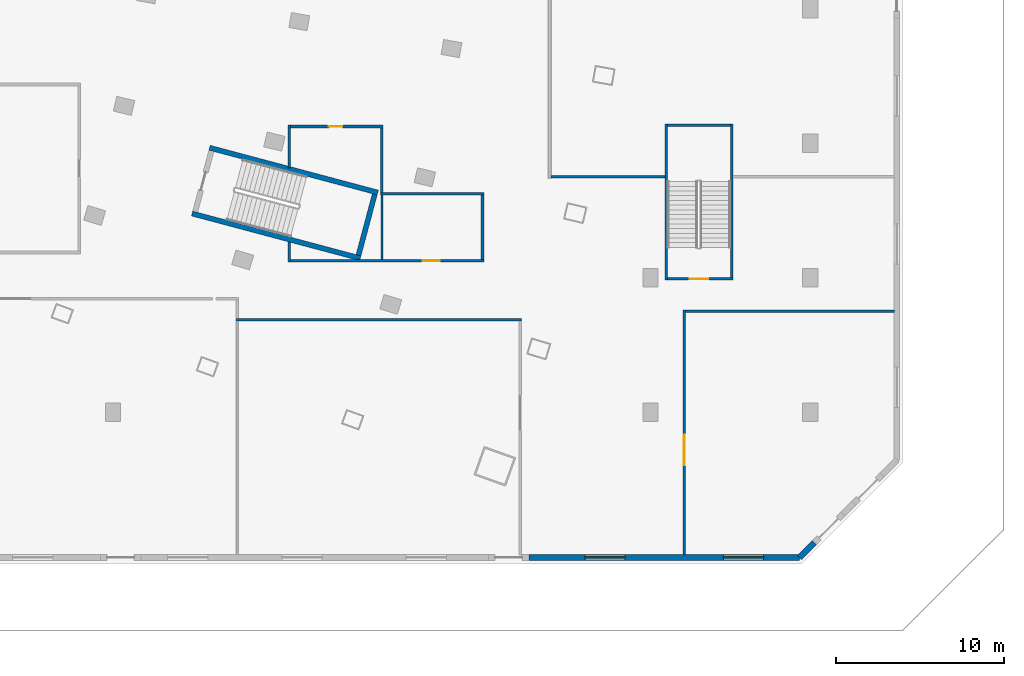
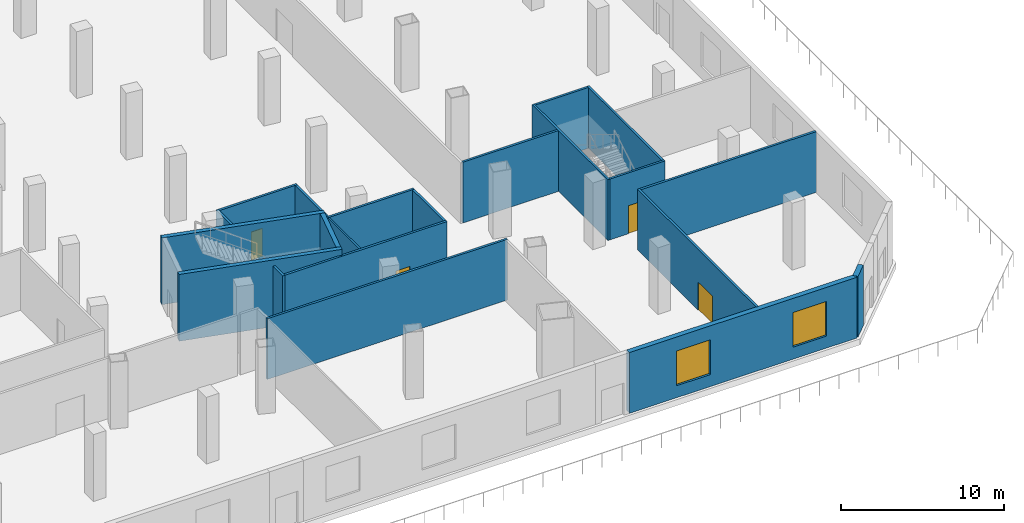
# One storey, part 3 of 15: 21 walls, 4 doors, 2 windows, 6 openings.
"""IFC4 building model written with IfcOpenShell, lengths in metres."""

from ifc_helpers import new_model, si_unit, direction, frame, frame_2d, origin, place, context, subcontext, project, spatial, rectangle, extrude, material, layer, layer_set, type_object, element, fill, save


model = new_model("IFC4")

# Units and contexts
model_context = context("Model", 3, precision=1e-05, world=origin(), true_north=direction((0.0, 1.0)))
body_context = subcontext(model_context, "Body", "Model", "MODEL_VIEW")
ifc_project = project(units=[si_unit("LENGTHUNIT", "METRE"), si_unit("AREAUNIT", "SQUARE_METRE"), si_unit("VOLUMEUNIT", "CUBIC_METRE"), si_unit("PLANEANGLEUNIT", "RADIAN"), si_unit("MASSUNIT", "GRAM", prefix="KILO")], contexts=[model_context])

# Site, building, storey
site_placement = place(None, origin())
site = spatial("IfcSite", under=ifc_project, at=site_placement, CompositionType="ELEMENT")
building_placement = place(site_placement, origin())
building = spatial("IfcBuilding", under=site, at=building_placement, Name="Alderwake Tower", CompositionType="ELEMENT")
storey_placement = place(building_placement, frame((0.0, 0.0, 13.5)))
storey = spatial("IfcBuildingStorey", under=building, at=storey_placement, Name="L02", CompositionType="ELEMENT", Elevation=13.5)

# Walls
ifc_material_1 = material(Name="Concrete C70/85", Category="concrete")
ifc_layer_1 = layer(ifc_material_1, 0.300048828125)
ifc_layer_set_1 = layer_set([ifc_layer_1], Name="Core wall stair enclosure 300 C70-85")
wall_type_1 = type_object("IfcWallType", Name="Core wall stair enclosure 300 C70-85", PredefinedType="SHEAR", material=ifc_layer_set_1)
for number, where, z_axis, x_axis, name in (
    (1, (37.75390625, 31.731201171875, 0.0), (0.0, 0.0, 1.0), (0.966309214305, -0.257383958996, 0.0), "Core wall CW.086"),
    (2, (36.71142578125, 27.817626953125, 0.0), (0.0, 0.0, 1.0), (0.966309214305, -0.257383958996, 0.0), "Core wall CW.088"),
):
    element("IfcWall", number, at=place(storey_placement, frame(where, z_axis=z_axis, x_axis=x_axis)), inside=storey, type_object=wall_type_1, Name=name, PredefinedType="SHEAR", context=body_context, shape_type="SweptSolid", body=[
        extrude(rectangle(XDim=10.360107421875, YDim=0.300048828125, at=frame_2d((5.18017578125, 0.0))), origin(), (0.0, 0.0, 1.0), 5.0),
    ])
wall_1_placement = place(storey_placement, frame((46.6162109375, 25.334716796875, 0.0), z_axis=(0.0, 0.0, 1.0), x_axis=(0.257366821694, 0.966313778796, 0.0)))
element("IfcWall", 3, at=wall_1_placement, inside=storey, type_object=wall_type_1, Name="Core wall CW.085", PredefinedType="SHEAR", context=body_context, shape_type="SweptSolid", body=[
    extrude(rectangle(XDim=3.749755859375, YDim=0.300048828125, at=frame_2d((1.875, 0.0))), origin(), (0.0, 0.0, 1.0), 5.0),
])
ifc_material_2 = material(Name="Gypsum board on metal studs, rated")
ifc_layer_2 = layer(ifc_material_2, 0.159912109375)
ifc_layer_set_2 = layer_set([ifc_layer_2], Name="Corridor wall 160")
wall_type_2 = type_object("IfcWallType", Name="Corridor wall 160", PredefinedType="PARTITIONING", material=ifc_layer_set_2)
wall_2_placement = place(storey_placement, frame((39.319091796875, 21.5009765625, 0.0), z_axis=(0.0, 0.0, 1.0), x_axis=(1.0, 0.0, 0.0)))
element("IfcWall", 4, at=wall_2_placement, inside=storey, type_object=wall_type_2, Name="WL/L02/W38", PredefinedType="PARTITIONING", context=body_context, shape_type="SweptSolid", body=[
    extrude(rectangle(XDim=17.010986328125, YDim=0.159912109375, at=frame_2d((8.50537109375, 0.0))), origin(), (0.0, 0.0, 1.0), 4.550048828125),
])
wall_3_placement = place(storey_placement, frame((42.5009765625, 24.9189453125, 0.0), z_axis=(0.0, 0.0, 1.0), x_axis=(0.0, 1.0, 0.0)))
element("IfcWall", 5, at=wall_3_placement, inside=storey, type_object=wall_type_2, Name="WL/L02/W40", PredefinedType="PARTITIONING", context=body_context, shape_type="SweptSolid", body=[
    extrude(rectangle(XDim=1.2021484375, YDim=0.159912109375, at=frame_2d((0.60107421875, 0.0))), origin(), (0.0, 0.0, 1.0), 4.550048828125),
])
wall_4_placement = place(storey_placement, frame((42.5009765625, 30.541015625, 0.0), z_axis=(0.0, 0.0, 1.0), x_axis=(0.0, 1.0, 0.0)))
element("IfcWall", 6, at=wall_4_placement, inside=storey, type_object=wall_type_2, Name="WL/L02/W41", PredefinedType="PARTITIONING", context=body_context, shape_type="SweptSolid", body=[
    extrude(rectangle(XDim=2.5390625, YDim=0.159912109375, at=frame_2d((1.26953125, 0.0))), origin(), (0.0, 0.0, 1.0), 4.550048828125),
])

# Wall, opening, door
wall_5_placement = place(storey_placement, frame((42.5810546875, 33.0, 0.0), z_axis=(0.0, 0.0, 1.0), x_axis=(1.0, 0.0, 0.0)))
wall_5 = element("IfcWall", 7, at=wall_5_placement, inside=storey, type_object=wall_type_2, Name="WL/L02/W42", PredefinedType="PARTITIONING", context=body_context, shape_type="SweptSolid", body=[
    extrude(rectangle(XDim=5.4990234375, YDim=0.159912109375, at=frame_2d((2.74951171875, 0.0))), origin(), (0.0, 0.0, 1.0), 4.550048828125),
])
opening_1_placement = place(wall_5_placement, frame((2.26904296875, 0.0, 0.0)))
opening_1 = element("IfcOpeningElement", 8, at=opening_1_placement, cuts=wall_5, Name="Opening L02-13", PredefinedType="OPENING", context=body_context, shape_type="SweptSolid", body=[
    extrude(rectangle(XDim=0.800048828125, YDim=2.10009765625, at=frame_2d((0.39990234375, 1.050048828125))), frame((0.0, 0.08984375, 0.0), z_axis=(0.0, -1.0, 0.0), x_axis=(1.0, 0.0, 0.0)), (0.0, 0.0, 1.0), 0.179931640625),
])
ifc_material_3 = material(Name="Painted timber leaf", Category="wood")
door_type_1 = type_object("IfcDoorType", Name="Bathroom door 800", OperationType="SINGLE_SWING_LEFT", PredefinedType="DOOR", material=ifc_material_3)
door_1_placement = place(opening_1_placement, origin())
door_1 = element("IfcDoor", 9, at=door_1_placement, inside=storey, type_object=door_type_1, Name="DR/L02/13", OperationType="SINGLE_SWING_LEFT", OverallHeight=2.10009765625, OverallWidth=0.800048828125, PredefinedType="DOOR", context=body_context, shape_type="SweptSolid", body=[
    extrude(rectangle(XDim=0.800048828125, YDim=2.10009765625, at=frame_2d((0.39990234375, 1.050048828125))), frame((0.0, 0.02490234375, 0.0), z_axis=(0.0, -1.0, 0.0), x_axis=(1.0, 0.0, 0.0)), (0.0, 0.0, 1.0), 0.050048828125),
])
fill(opening_1, door_1)

# Walls
wall_6_placement = place(storey_placement, frame((47.919921875, 29.0009765625, 0.0), z_axis=(0.0, 0.0, 1.0), x_axis=(1.0, 0.0, 0.0)))
element("IfcWall", 10, at=wall_6_placement, inside=storey, type_object=wall_type_2, Name="WL/L02/W44", PredefinedType="PARTITIONING", context=body_context, shape_type="SweptSolid", body=[
    extrude(rectangle(XDim=6.16015625, YDim=0.159912109375, at=frame_2d((3.080078125, 0.0))), origin(), (0.0, 0.0, 1.0), 4.550048828125),
])
wall_7_placement = place(storey_placement, frame((48.0, 32.919921875, 0.0), z_axis=(0.0, 0.0, 1.0), x_axis=(0.0, -1.0, 0.0)))
element("IfcWall", 11, at=wall_7_placement, inside=storey, type_object=wall_type_2, Name="WL/L02/W45", PredefinedType="PARTITIONING", context=body_context, shape_type="SweptSolid", body=[
    extrude(rectangle(XDim=3.8388671875, YDim=0.159912109375, at=frame_2d((1.91943359375, 0.0))), origin(), (0.0, 0.0, 1.0), 4.550048828125),
])

# Wall, opening, door
wall_8_placement = place(storey_placement, frame((54.080078125, 24.9990234375, 0.0), z_axis=(0.0, 0.0, 1.0), x_axis=(-1.0, 0.0, 0.0)))
wall_8 = element("IfcWall", 12, at=wall_8_placement, inside=storey, type_object=wall_type_2, Name="WL/L02/W46", PredefinedType="PARTITIONING", context=body_context, shape_type="SweptSolid", body=[
    extrude(rectangle(XDim=11.4990234375, YDim=0.159912109375, at=frame_2d((5.74951171875, 0.0))), origin(), (0.0, 0.0, 1.0), 4.550048828125),
])
opening_2_placement = place(wall_8_placement, frame((2.6298828125, 0.0, 0.0)))
opening_2 = element("IfcOpeningElement", 13, at=opening_2_placement, cuts=wall_8, Name="Opening L02-14", PredefinedType="OPENING", context=body_context, shape_type="SweptSolid", body=[
    extrude(rectangle(XDim=1.0, YDim=2.10009765625, at=frame_2d((0.5, 1.050048828125))), frame((0.0, 0.08984375, 0.0), z_axis=(0.0, -1.0, 0.0), x_axis=(1.0, 0.0, 0.0)), (0.0, 0.0, 1.0), 0.179931640625),
])
ifc_material_4 = material(Name="Painted timber leaf", Category="wood")
door_type_2 = type_object("IfcDoorType", Name="Accessible WC door 1000", OperationType="SINGLE_SWING_LEFT", PredefinedType="DOOR", material=ifc_material_4)
door_2_placement = place(opening_2_placement, origin())
door_2 = element("IfcDoor", 14, at=door_2_placement, inside=storey, type_object=door_type_2, Name="DR/L02/14", OperationType="SINGLE_SWING_LEFT", OverallHeight=2.10009765625, OverallWidth=1.0, PredefinedType="DOOR", context=body_context, shape_type="SweptSolid", body=[
    extrude(rectangle(XDim=1.0, YDim=2.10009765625, at=frame_2d((0.5, 1.050048828125))), frame((0.0, 0.02490234375, 0.0), z_axis=(0.0, -1.0, 0.0), x_axis=(1.0, 0.0, 0.0)), (0.0, 0.0, 1.0), 0.050048828125),
])
fill(opening_2, door_2)

# Walls
wall_9_placement = place(storey_placement, frame((54.0, 28.9208984375, 0.0), z_axis=(0.0, 0.0, 1.0), x_axis=(0.0, -1.0, 0.0)))
element("IfcWall", 15, at=wall_9_placement, inside=storey, type_object=wall_type_2, Name="WL/L02/W47", PredefinedType="PARTITIONING", context=body_context, shape_type="SweptSolid", body=[
    extrude(rectangle(XDim=3.841796875, YDim=0.159912109375, at=frame_2d((1.9208984375, 0.0))), origin(), (0.0, 0.0, 1.0), 4.550048828125),
])
wall_10_placement = place(storey_placement, frame((64.85107421875, 30.0, 0.0), z_axis=(0.0, 0.0, 1.0), x_axis=(-1.0, 0.0, 0.0)))
element("IfcWall", 16, at=wall_10_placement, inside=storey, type_object=wall_type_2, Name="WL/L02/W53", PredefinedType="PARTITIONING", context=body_context, shape_type="SweptSolid", body=[
    extrude(rectangle(XDim=6.77197265625, YDim=0.159912109375, at=frame_2d((3.385986328125, 0.0))), origin(), (0.0, 0.0, 1.0), 4.550048828125),
])

# Wall, opening, door
wall_11_placement = place(storey_placement, frame((66.0, 7.5, 0.0), z_axis=(0.0, 0.0, 1.0), x_axis=(0.0, 1.0, 0.0)))
wall_11 = element("IfcWall", 17, at=wall_11_placement, inside=storey, type_object=wall_type_2, Name="WL/L02/W54", PredefinedType="PARTITIONING", context=body_context, shape_type="SweptSolid", body=[
    extrude(rectangle(XDim=14.5791015625, YDim=0.159912109375, at=frame_2d((7.28955078125, 0.0))), origin(), (0.0, 0.0, 1.0), 4.550048828125),
])
opening_3_placement = place(wall_11_placement, frame((5.35009765625, 0.0, 0.0)))
opening_3 = element("IfcOpeningElement", 18, at=opening_3_placement, cuts=wall_11, Name="Opening L02-06", PredefinedType="OPENING", context=body_context, shape_type="SweptSolid", body=[
    extrude(rectangle(XDim=1.800048828125, YDim=2.10009765625, at=frame_2d((0.89990234375, 1.050048828125))), frame((0.0, 0.08984375, 0.0), z_axis=(0.0, -1.0, 0.0), x_axis=(1.0, 0.0, 0.0)), (0.0, 0.0, 1.0), 0.179931640625),
])
ifc_material_5 = material(Name="Aluminium framed glazed leaves", Category="aluminium")
door_type_3 = type_object("IfcDoorType", Name="Shopfront door 1800 glazed double", OperationType="DOUBLE_DOOR_SINGLE_SWING", PredefinedType="DOOR", material=ifc_material_5)
door_3_placement = place(opening_3_placement, origin())
door_3 = element("IfcDoor", 19, at=door_3_placement, inside=storey, type_object=door_type_3, Name="DR/L02/06", OperationType="DOUBLE_DOOR_SINGLE_SWING", OverallHeight=2.10009765625, OverallWidth=1.800048828125, PredefinedType="DOOR", context=body_context, shape_type="SweptSolid", body=[
    extrude(rectangle(XDim=1.800048828125, YDim=2.10009765625, at=frame_2d((0.89990234375, 1.050048828125))), frame((0.0, 0.02490234375, 0.0), z_axis=(0.0, -1.0, 0.0), x_axis=(1.0, 0.0, 0.0)), (0.0, 0.0, 1.0), 0.050048828125),
])
fill(opening_3, door_3)

# Wall
wall_12_placement = place(storey_placement, frame((66.080078125, 21.9990234375, 0.0), z_axis=(0.0, 0.0, 1.0), x_axis=(1.0, 0.0, 0.0)))
element("IfcWall", 20, at=wall_12_placement, inside=storey, type_object=wall_type_2, Name="WL/L02/W55", PredefinedType="PARTITIONING", context=body_context, shape_type="SweptSolid", body=[
    extrude(rectangle(XDim=12.4208984375, YDim=0.159912109375, at=frame_2d((6.21044921875, 0.0))), origin(), (0.0, 0.0, 1.0), 4.550048828125),
])

# Wall, openings, windows
ifc_material_6 = material(Name="Precast concrete C50/60 spandrel panel", Category="concrete")
ifc_layer_3 = layer(ifc_material_6, 0.35009765625)
ifc_layer_set_3 = layer_set([ifc_layer_3], Name="External wall EW4 Precast concrete C50/60 podium")
wall_type_3 = type_object("IfcWallType", Name="External wall EW4 Precast concrete C50/60 podium", PredefinedType="SOLIDWALL", material=ifc_layer_set_3)
wall_13_placement = place(storey_placement, frame((56.75244140625, 7.35009765625, 0.0), z_axis=(0.0, 0.0, 1.0), x_axis=(1.0, 0.0, 0.0)))
wall_13 = element("IfcWall", 21, at=wall_13_placement, inside=storey, type_object=wall_type_3, Name="External wall 5", PredefinedType="SOLIDWALL", context=body_context, shape_type="SweptSolid", body=[
    extrude(rectangle(XDim=16.11767578125, YDim=0.35009765625, at=frame_2d((8.058837890625, 0.0))), origin(), (0.0, 0.0, 1.0), 4.550048828125),
])
opening_4_placement = place(wall_13_placement, frame((3.333740234375, 0.0, 0.89990234375)))
opening_4 = element("IfcOpeningElement", 22, at=opening_4_placement, cuts=wall_13, Name="Opening W6", PredefinedType="OPENING", context=body_context, shape_type="SweptSolid", body=[
    extrude(rectangle(XDim=2.39990234375, YDim=2.60009765625, at=frame_2d((1.199951171875, 1.300048828125))), frame((0.0, 0.18505859375, 0.0), z_axis=(0.0, -1.0, 0.0), x_axis=(1.0, 0.0, 0.0)), (0.0, 0.0, 1.0), 0.3701171875),
])
opening_5_placement = place(wall_13_placement, frame((11.572509765625, 0.0, 0.89990234375)))
opening_5 = element("IfcOpeningElement", 23, at=opening_5_placement, cuts=wall_13, Name="Opening W6", PredefinedType="OPENING", context=body_context, shape_type="SweptSolid", body=[
    extrude(rectangle(XDim=2.39990234375, YDim=2.60009765625, at=frame_2d((1.199951171875, 1.300048828125))), frame((0.0, 0.18505859375, 0.0), z_axis=(0.0, -1.0, 0.0), x_axis=(1.0, 0.0, 0.0)), (0.0, 0.0, 1.0), 0.3701171875),
])
ifc_material_7 = material(Name="Bronze tinted glass in aluminium frame", Category="aluminium")
window_type = type_object("IfcWindowType", Name="Window W6 podium", PartitioningType="DOUBLE_PANEL_VERTICAL", PredefinedType="WINDOW", material=ifc_material_7)
window_1_placement = place(opening_4_placement, origin())
window_1 = element("IfcWindow", 24, at=window_1_placement, inside=storey, type_object=window_type, Name="Window W6 podium", OverallHeight=2.60009765625, OverallWidth=2.39990234375, PartitioningType="DOUBLE_PANEL_VERTICAL", PredefinedType="WINDOW", context=body_context, shape_type="SweptSolid", body=[
    extrude(rectangle(XDim=2.39990234375, YDim=2.60009765625, at=frame_2d((1.199951171875, 1.300048828125))), frame((0.0, 0.030029296875, 0.0), z_axis=(0.0, -1.0, 0.0), x_axis=(1.0, 0.0, 0.0)), (0.0, 0.0, 1.0), 0.06005859375),
])
fill(opening_4, window_1)
window_2_placement = place(opening_5_placement, origin())
window_2 = element("IfcWindow", 25, at=window_2_placement, inside=storey, type_object=window_type, Name="Window W6 podium", OverallHeight=2.60009765625, OverallWidth=2.39990234375, PartitioningType="DOUBLE_PANEL_VERTICAL", PredefinedType="WINDOW", context=body_context, shape_type="SweptSolid", body=[
    extrude(rectangle(XDim=2.39990234375, YDim=2.60009765625, at=frame_2d((1.199951171875, 1.300048828125))), frame((0.0, 0.030029296875, 0.0), z_axis=(0.0, -1.0, 0.0), x_axis=(1.0, 0.0, 0.0)), (0.0, 0.0, 1.0), 0.06005859375),
])
fill(opening_5, window_2)

# Wall
wall_14_placement = place(storey_placement, frame((72.85498046875, 7.35009765625, 0.0), z_axis=(0.0, 0.0, 1.0), x_axis=(0.707203413475, 0.707010135691, 0.0)))
element("IfcWall", 26, at=wall_14_placement, inside=storey, type_object=wall_type_3, Name="External wall 6", PredefinedType="SOLIDWALL", context=body_context, shape_type="SweptSolid", body=[
    extrude(rectangle(XDim=1.26318359375, YDim=0.35009765625, at=frame_2d((0.631591796875, 0.0))), origin(), (0.0, 0.0, 1.0), 4.550048828125),
])

# Wall, opening, door
ifc_material_8 = material(Name="Gypsum shaft wall system, rated")
ifc_layer_4 = layer(ifc_material_8, 0.14990234375)
ifc_layer_set_4 = layer_set([ifc_layer_4], Name="Riser and shaft wall 150")
wall_type_4 = type_object("IfcWallType", Name="Riser and shaft wall 150", PredefinedType="PARTITIONING", material=ifc_layer_set_4)
wall_15_placement = place(storey_placement, frame((68.90087890625, 23.925048828125, 0.0), z_axis=(0.0, 0.0, 1.0), x_axis=(-1.0, 0.0, 0.0)))
wall_15 = element("IfcWall", 27, at=wall_15_placement, inside=storey, type_object=wall_type_4, Name="WL/L02/W13", PredefinedType="PARTITIONING", context=body_context, shape_type="SweptSolid", body=[
    extrude(rectangle(XDim=3.89990234375, YDim=0.14990234375, at=frame_2d((1.949951171875, 0.0))), origin(), (0.0, 0.0, 1.0), 4.550048828125),
])
opening_6_placement = place(wall_15_placement, frame((1.47607421875, 0.0, 0.0)))
opening_6 = element("IfcOpeningElement", 28, at=opening_6_placement, cuts=wall_15, Name="Opening L02-19", PredefinedType="OPENING", context=body_context, shape_type="SweptSolid", body=[
    extrude(rectangle(XDim=1.10009765625, YDim=2.10009765625, at=frame_2d((0.550048828125, 1.050048828125))), frame((0.0, 0.0849609375, 0.0), z_axis=(0.0, -1.0, 0.0), x_axis=(1.0, 0.0, 0.0)), (0.0, 0.0, 1.0), 0.169921875),
])
ifc_material_9 = material(Name="Steel-framed fire door leaf", Category="steel")
door_type_4 = type_object("IfcDoorType", Name="Stair door 1100 fire-rated", OperationType="SINGLE_SWING_LEFT", PredefinedType="DOOR", material=ifc_material_9)
door_4_placement = place(opening_6_placement, origin())
door_4 = element("IfcDoor", 29, at=door_4_placement, inside=storey, type_object=door_type_4, Name="DR/L02/19", OperationType="SINGLE_SWING_LEFT", OverallHeight=2.10009765625, OverallWidth=1.10009765625, PredefinedType="DOOR", context=body_context, shape_type="SweptSolid", body=[
    extrude(rectangle(XDim=1.10009765625, YDim=2.10009765625, at=frame_2d((0.550048828125, 1.050048828125))), frame((0.0, 0.02490234375, 0.0), z_axis=(0.0, -1.0, 0.0), x_axis=(1.0, 0.0, 0.0)), (0.0, 0.0, 1.0), 0.050048828125),
])
fill(opening_6, door_4)

# Walls
ifc_material_10 = material(Name="Concrete C40/50", Category="concrete")
ifc_layer_5 = layer(ifc_material_10, 0.14990234375)
ifc_layer_set_5 = layer_set([ifc_layer_5], Name="Stair shaft wall 150 C40/50")
wall_type_5 = type_object("IfcWallType", Name="Stair shaft wall 150 C40/50", PredefinedType="SHEAR", material=ifc_layer_set_5)
wall_16_placement = place(storey_placement, frame((64.926025390625, 23.85009765625, 0.0), z_axis=(0.0, 0.0, 1.0), x_axis=(0.0, 1.0, 0.0)))
element("IfcWall", 30, at=wall_16_placement, inside=storey, type_object=wall_type_5, Name="WL/L02/W12", PredefinedType="SHEAR", context=body_context, shape_type="SweptSolid", body=[
    extrude(rectangle(XDim=9.2998046875, YDim=0.14990234375, at=frame_2d((4.64990234375, 0.0))), origin(), (0.0, 0.0, 1.0), 4.550048828125),
])
wall_17_placement = place(storey_placement, frame((68.825927734375, 24.0, 0.0), z_axis=(0.0, 0.0, 1.0), x_axis=(0.0, 1.0, 0.0)))
element("IfcWall", 31, at=wall_17_placement, inside=storey, type_object=wall_type_5, Name="WL/L02/W16", PredefinedType="SHEAR", context=body_context, shape_type="SweptSolid", body=[
    extrude(rectangle(XDim=9.14990234375, YDim=0.14990234375, at=frame_2d((4.574951171875, 0.0))), origin(), (0.0, 0.0, 1.0), 4.550048828125),
])
wall_18_placement = place(storey_placement, frame((68.7509765625, 33.074951171875, 0.0), z_axis=(0.0, 0.0, 1.0), x_axis=(-1.0, 0.0, 0.0)))
element("IfcWall", 32, at=wall_18_placement, inside=storey, type_object=wall_type_5, Name="WL/L02/W17", PredefinedType="SHEAR", context=body_context, shape_type="SweptSolid", body=[
    extrude(rectangle(XDim=3.75, YDim=0.14990234375, at=frame_2d((1.875, 0.0))), origin(), (0.0, 0.0, 1.0), 4.550048828125),
])
ifc_material_11 = material(Name="Moisture resistant gypsum board on metal studs")
ifc_layer_6 = layer(ifc_material_11, 0.1201171875)
ifc_layer_set_6 = layer_set([ifc_layer_6], Name="Wet room partition 120")
wall_type_6 = type_object("IfcWallType", Name="Wet room partition 120", PredefinedType="PARTITIONING", material=ifc_layer_set_6)
wall_19_placement = place(storey_placement, frame((48.0, 25.0791015625, 0.0), z_axis=(0.0, 0.0, 1.0), x_axis=(0.0, 1.0, 0.0)))
element("IfcWall", 33, at=wall_19_placement, inside=storey, type_object=wall_type_6, Name="WL/L02/W60", PredefinedType="PARTITIONING", context=body_context, shape_type="SweptSolid", body=[
    extrude(rectangle(XDim=3.841796875, YDim=0.1201171875, at=frame_2d((1.9208984375, 0.0))), origin(), (0.0, 0.0, 1.0), 4.550048828125),
])

save(model, "model.ifc")
